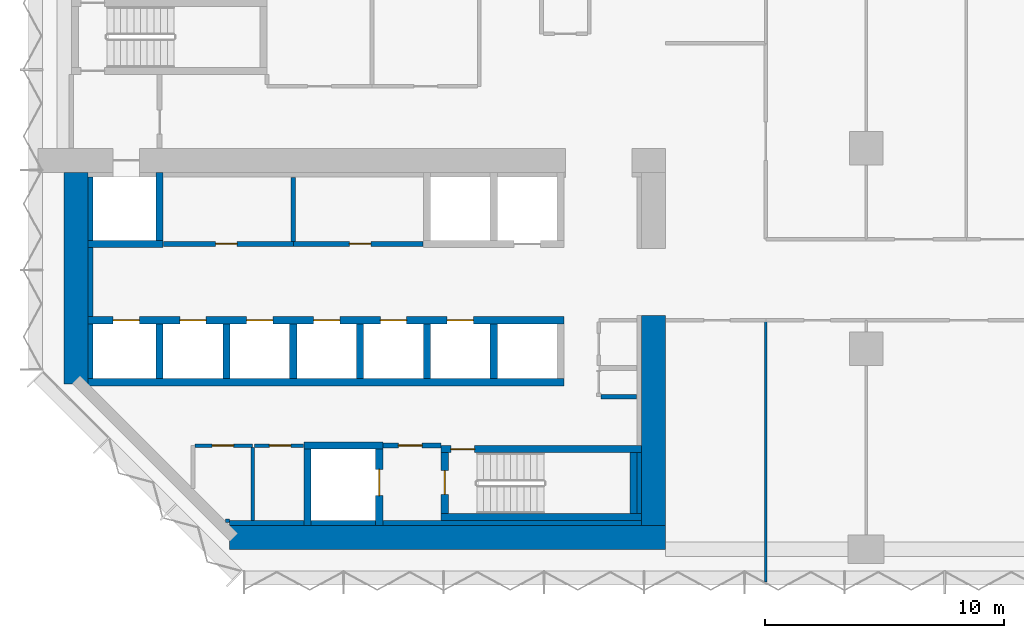
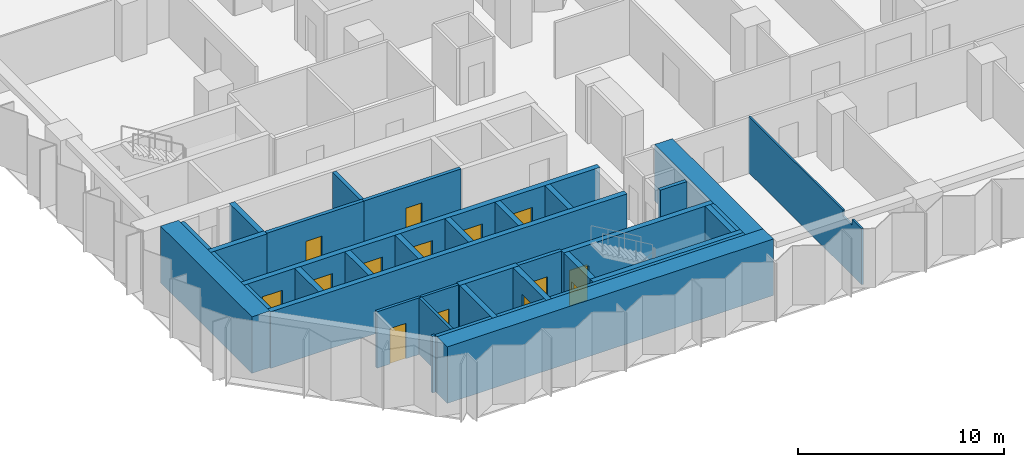
# One storey, part 7 of 15: 37 walls, 14 doors, 14 openings.
"""IFC4 building model written with IfcOpenShell, lengths in metres."""

from ifc_helpers import new_model, si_unit, direction, frame, frame_2d, origin, place, context, subcontext, project, spatial, polyline, rectangle, outline, extrude, material, layer, layer_set, type_object, element, fill, save


model = new_model("IFC4")

# Units and contexts
model_context = context("Model", 3, precision=1e-05, world=origin(), true_north=direction((0.0, 1.0)))
body_context = subcontext(model_context, "Body", "Model", "MODEL_VIEW")
ifc_project = project(units=[si_unit("LENGTHUNIT", "METRE"), si_unit("AREAUNIT", "SQUARE_METRE"), si_unit("VOLUMEUNIT", "CUBIC_METRE"), si_unit("PLANEANGLEUNIT", "RADIAN"), si_unit("MASSUNIT", "GRAM", prefix="KILO")], contexts=[model_context])

# Site, building, storey
site_placement = place(None, origin())
site = spatial("IfcSite", under=ifc_project, at=site_placement, CompositionType="ELEMENT")
building_placement = place(site_placement, origin())
building = spatial("IfcBuilding", under=site, at=building_placement, Name="Brevane Broadcast Tower", CompositionType="ELEMENT")
storey_placement = place(building_placement, frame((0.0, 0.0, 65.300048828125)))
storey = spatial("IfcBuildingStorey", under=building, at=storey_placement, Name="L14", CompositionType="ELEMENT", Elevation=65.300048828125)

# Walls
ifc_material_1 = material(Name="Concrete C32/40", Category="concrete")
ifc_layer_1 = layer(ifc_material_1, 0.199951171875)
ifc_layer_set_1 = layer_set([ifc_layer_1], Name="Core chase wall 200 mm")
wall_type_1 = type_object("IfcWallType", Name="Core chase wall 200 mm", PredefinedType="PARTITIONING", material=ifc_layer_set_1)
wall_1_placement = place(storey_placement, frame((1.10009765625, 7.14990234375, 0.0), z_axis=(0.0, 0.0, 1.0), x_axis=(0.0, 1.0, 0.0)))
element("IfcWall", 1, at=wall_1_placement, inside=storey, type_object=wall_type_1, Name="L14 chase wall LW-2-1", PredefinedType="PARTITIONING", context=body_context, shape_type="SweptSolid", body=[
    extrude(rectangle(XDim=2.300048828125, YDim=0.199951171875, at=frame_2d((1.14990234375, 0.0))), origin(), (0.0, 0.0, 1.0), 3.349853515625),
])
wall_2_placement = place(storey_placement, frame((1.10009765625, 9.75, 0.0), z_axis=(0.0, 0.0, 1.0), x_axis=(0.0, 1.0, 0.0)))
element("IfcWall", 2, at=wall_2_placement, inside=storey, type_object=wall_type_1, Name="L14 chase wall LW-2-2-1", PredefinedType="PARTITIONING", context=body_context, shape_type="SweptSolid", body=[
    extrude(rectangle(XDim=2.89990234375, YDim=0.199951171875, at=frame_2d((1.449951171875, 0.0))), origin(), (0.0, 0.0, 1.0), 3.349853515625),
])
wall_3_placement = place(storey_placement, frame((1.10009765625, 12.949951171875, 0.0), z_axis=(0.0, 0.0, 1.0), x_axis=(0.0, 1.0, 0.0)))
element("IfcWall", 3, at=wall_3_placement, inside=storey, type_object=wall_type_1, Name="L14 chase wall LW-2-2-2", PredefinedType="PARTITIONING", context=body_context, shape_type="SweptSolid", body=[
    extrude(rectangle(XDim=2.650146484375, YDim=0.199951171875, at=frame_2d((1.3251953125, 0.0))), origin(), (0.0, 0.0, 1.0), 3.349853515625),
])
wall_4_placement = place(storey_placement, frame((6.936279296875, 1.10009765625, 0.0), z_axis=(0.0, 0.0, 1.0), x_axis=(1.0, 0.0, 0.0)))
element("IfcWall", 4, at=wall_4_placement, inside=storey, type_object=wall_type_1, Name="L14 chase wall LS-1", PredefinedType="PARTITIONING", context=body_context, shape_type="SweptSolid", body=[
    extrude(rectangle(XDim=3.11376953125, YDim=0.199951171875, at=frame_2d((1.556884765625, 0.0))), origin(), (0.0, 0.0, 1.0), 3.349853515625),
])
wall_5_placement = place(storey_placement, frame((10.35009765625, 1.10009765625, 0.0), z_axis=(0.0, 0.0, 1.0), x_axis=(1.0, 0.0, 0.0)))
element("IfcWall", 5, at=wall_5_placement, inside=storey, type_object=wall_type_1, Name="L14 chase wall LS-2-1", PredefinedType="PARTITIONING", context=body_context, shape_type="SweptSolid", body=[
    extrude(rectangle(XDim=2.699951171875, YDim=0.199951171875, at=frame_2d((1.35009765625, 0.0))), origin(), (0.0, 0.0, 1.0), 3.349853515625),
])
wall_6_placement = place(storey_placement, frame((13.35009765625, 1.10009765625, 0.0), z_axis=(0.0, 0.0, 1.0), x_axis=(1.0, 0.0, 0.0)))
element("IfcWall", 6, at=wall_6_placement, inside=storey, type_object=wall_type_1, Name="L14 chase wall LS-2-2", PredefinedType="PARTITIONING", context=body_context, shape_type="SweptSolid", body=[
    extrude(rectangle(XDim=10.849853515625, YDim=0.199951171875, at=frame_2d((5.4248046875, 0.0))), origin(), (0.0, 0.0, 1.0), 3.349853515625),
])
wall_7_placement = place(storey_placement, frame((24.10009765625, 1.5, 0.0), z_axis=(0.0, 0.0, 1.0), x_axis=(0.0, 1.0, 0.0)))
element("IfcWall", 7, at=wall_7_placement, inside=storey, type_object=wall_type_1, Name="L14 chase wall LE1-2-1", PredefinedType="PARTITIONING", context=body_context, shape_type="SweptSolid", body=[
    extrude(rectangle(XDim=2.550048828125, YDim=0.199951171875, at=frame_2d((1.27490234375, 0.0))), origin(), (0.0, 0.0, 1.0), 3.349853515625),
])

# Wall, opening, door
ifc_material_2 = material(Name="Gypsum board on steel studs", Category="steel")
ifc_layer_2 = layer(ifc_material_2, 0.14990234375)
ifc_layer_set_2 = layer_set([ifc_layer_2], Name="Core fire partition 150 mm")
wall_type_2 = type_object("IfcWallType", Name="Core fire partition 150 mm", PredefinedType="PARTITIONING", material=ifc_layer_set_2)
wall_8_placement = place(storey_placement, frame((5.47509765625, 4.35009765625, 0.0), z_axis=(0.0, 0.0, 1.0), x_axis=(1.0, 0.0, 0.0)))
wall_8 = element("IfcWall", 8, at=wall_8_placement, inside=storey, type_object=wall_type_2, Name="L14 partition wall P11", PredefinedType="PARTITIONING", context=body_context, shape_type="SweptSolid", body=[
    extrude(rectangle(XDim=2.4248046875, YDim=0.14990234375, at=frame_2d((1.21240234375, 0.0))), origin(), (0.0, 0.0, 1.0), 3.349853515625),
])
opening_1_placement = place(wall_8_placement, frame((0.72509765625, 0.0, 0.0)))
opening_1 = element("IfcOpeningElement", 9, at=opening_1_placement, cuts=wall_8, Name="Opening L14-K16", PredefinedType="OPENING", context=body_context, shape_type="SweptSolid", body=[
    extrude(rectangle(XDim=0.89990234375, YDim=2.10009765625, at=frame_2d((0.449951171875, 1.050048828125))), frame((0.0, 0.0849609375, 0.0), z_axis=(0.0, -1.0, 0.0), x_axis=(1.0, 0.0, 0.0)), (0.0, 0.0, 1.0), 0.169921875),
])
ifc_material_3 = material(Name="Timber", Category="wood")
door_type_1 = type_object("IfcDoorType", Name="Toilet door 900 x 2100", OperationType="SINGLE_SWING_LEFT", PredefinedType="DOOR", material=ifc_material_3)
door_1_placement = place(opening_1_placement, origin())
door_1 = element("IfcDoor", 10, at=door_1_placement, inside=storey, type_object=door_type_1, Name="Door L14-K16", OperationType="SINGLE_SWING_LEFT", OverallHeight=2.10009765625, OverallWidth=0.89990234375, PredefinedType="DOOR", context=body_context, shape_type="SweptSolid", body=[
    extrude(rectangle(XDim=0.89990234375, YDim=2.10009765625, at=frame_2d((0.449951171875, 1.050048828125))), frame((0.0, 0.02490234375, 0.0), z_axis=(0.0, -1.0, 0.0), x_axis=(1.0, 0.0, 0.0)), (0.0, 0.0, 1.0), 0.050048828125),
])
fill(opening_1, door_1)

# Walls
wall_9_placement = place(storey_placement, frame((7.89990234375, 4.27490234375, 0.0), z_axis=(0.0, 0.0, 1.0), x_axis=(0.0, -1.0, 0.0)))
element("IfcWall", 11, at=wall_9_placement, inside=storey, type_object=wall_type_2, Name="L14 partition wall P12", PredefinedType="PARTITIONING", context=body_context, shape_type="SweptSolid", body=[
    extrude(rectangle(XDim=3.06298828125, YDim=0.14990234375, at=frame_2d((1.531494140625, 0.0))), origin(), (0.0, 0.0, 1.0), 3.349853515625),
])
wall_10_placement = place(storey_placement, frame((6.92431640625, 1.199951171875, 0.0), z_axis=(0.0, 0.0, 1.0), x_axis=(-1.0, 0.0, 0.0)))
element("IfcWall", 12, at=wall_10_placement, inside=storey, type_object=wall_type_2, Name="L14 partition wall P13", PredefinedType="PARTITIONING", context=body_context, shape_type="SweptSolid", body=[
    extrude(rectangle(XDim=0.1708984375, YDim=0.14990234375, at=frame_2d((0.08544921875, 0.0))), origin(), (0.0, 0.0, 1.0), 3.349853515625),
])

# Wall, opening, door
wall_11_placement = place(storey_placement, frame((10.0380859375, 4.35009765625, 0.0), z_axis=(0.0, 0.0, 1.0), x_axis=(-1.0, 0.0, 0.0)))
wall_11 = element("IfcWall", 13, at=wall_11_placement, inside=storey, type_object=wall_type_2, Name="L14 partition wall P14", PredefinedType="PARTITIONING", context=body_context, shape_type="SweptSolid", body=[
    extrude(rectangle(XDim=2.06298828125, YDim=0.14990234375, at=frame_2d((1.031494140625, 0.0))), origin(), (0.0, 0.0, 1.0), 3.349853515625),
])
opening_2_placement = place(wall_11_placement, frame((0.5380859375, 0.0, 0.0)))
opening_2 = element("IfcOpeningElement", 14, at=opening_2_placement, cuts=wall_11, Name="Opening L14-K17", PredefinedType="OPENING", context=body_context, shape_type="SweptSolid", body=[
    extrude(rectangle(XDim=0.89990234375, YDim=2.10009765625, at=frame_2d((0.449951171875, 1.050048828125))), frame((0.0, 0.0849609375, 0.0), z_axis=(0.0, -1.0, 0.0), x_axis=(1.0, 0.0, 0.0)), (0.0, 0.0, 1.0), 0.169921875),
])
door_2_placement = place(opening_2_placement, origin())
door_2 = element("IfcDoor", 15, at=door_2_placement, inside=storey, type_object=door_type_1, Name="Door L14-K17", OperationType="SINGLE_SWING_RIGHT", OverallHeight=2.10009765625, OverallWidth=0.89990234375, PredefinedType="DOOR", context=body_context, shape_type="SweptSolid", body=[
    extrude(rectangle(XDim=0.89990234375, YDim=2.10009765625, at=frame_2d((0.449951171875, 1.050048828125))), frame((0.0, 0.02490234375, 0.0), z_axis=(0.0, -1.0, 0.0), x_axis=(1.0, 0.0, 0.0)), (0.0, 0.0, 1.0), 0.050048828125),
])
fill(opening_2, door_2)

ifc_layer_3 = layer(ifc_material_2, 0.199951171875)
ifc_layer_set_3 = layer_set([ifc_layer_3], Name="Core fire partition 200 mm")
wall_type_3 = type_object("IfcWallType", Name="Core fire partition 200 mm", PredefinedType="PARTITIONING", material=ifc_layer_set_3)
wall_12_placement = place(storey_placement, frame((13.362060546875, 4.35009765625, 0.0), z_axis=(0.0, 0.0, 1.0), x_axis=(1.0, 0.0, 0.0)))
wall_12 = element("IfcWall", 16, at=wall_12_placement, inside=storey, type_object=wall_type_3, Name="L14 partition wall P03", PredefinedType="PARTITIONING", context=body_context, shape_type="SweptSolid", body=[
    extrude(rectangle(XDim=2.426025390625, YDim=0.199951171875, at=frame_2d((1.212890625, 0.0))), origin(), (0.0, 0.0, 1.0), 3.349853515625),
])
opening_3_placement = place(wall_12_placement, frame((0.637939453125, 0.0, 0.0)))
opening_3 = element("IfcOpeningElement", 17, at=opening_3_placement, cuts=wall_12, Name="Opening L14-K18", PredefinedType="OPENING", context=body_context, shape_type="SweptSolid", body=[
    extrude(rectangle(XDim=1.0, YDim=2.10009765625, at=frame_2d((0.5, 1.050048828125))), frame((0.0, 0.10986328125, 0.0), z_axis=(0.0, -1.0, 0.0), x_axis=(1.0, 0.0, 0.0)), (0.0, 0.0, 1.0), 0.219970703125),
])
ifc_material_4 = material(Name="Steel", Category="steel")
door_type_2 = type_object("IfcDoorType", Name="Stair door 1000 x 2100", OperationType="SINGLE_SWING_LEFT", PredefinedType="DOOR", material=ifc_material_4)
door_3_placement = place(opening_3_placement, origin())
door_3 = element("IfcDoor", 18, at=door_3_placement, inside=storey, type_object=door_type_2, Name="Door L14-K18", OperationType="SINGLE_SWING_LEFT", OverallHeight=2.10009765625, OverallWidth=1.0, PredefinedType="DOOR", context=body_context, shape_type="SweptSolid", body=[
    extrude(rectangle(XDim=1.0, YDim=2.10009765625, at=frame_2d((0.5, 1.050048828125))), frame((0.0, 0.02490234375, 0.0), z_axis=(0.0, -1.0, 0.0), x_axis=(1.0, 0.0, 0.0)), (0.0, 0.0, 1.0), 0.050048828125),
])
fill(opening_3, door_3)

wall_13_placement = place(storey_placement, frame((4.162109375, 12.800048828125, 0.0), z_axis=(0.0, 0.0, 1.0), x_axis=(1.0, 0.0, 0.0)))
wall_13 = element("IfcWall", 19, at=wall_13_placement, inside=storey, type_object=wall_type_3, Name="L14 partition wall P04", PredefinedType="PARTITIONING", context=body_context, shape_type="SweptSolid", body=[
    extrude(rectangle(XDim=5.43798828125, YDim=0.199951171875, at=frame_2d((2.718994140625, 0.0))), origin(), (0.0, 0.0, 1.0), 3.349853515625),
])
opening_4_placement = place(wall_13_placement, frame((2.18798828125, 0.0, 0.0)))
opening_4 = element("IfcOpeningElement", 20, at=opening_4_placement, cuts=wall_13, Name="Opening L14-K21", PredefinedType="OPENING", context=body_context, shape_type="SweptSolid", body=[
    extrude(rectangle(XDim=0.89990234375, YDim=2.10009765625, at=frame_2d((0.449951171875, 1.050048828125))), frame((0.0, 0.10986328125, 0.0), z_axis=(0.0, -1.0, 0.0), x_axis=(1.0, 0.0, 0.0)), (0.0, 0.0, 1.0), 0.219970703125),
])
door_type_3 = type_object("IfcDoorType", Name="Service room door 900 x 2100", OperationType="SINGLE_SWING_LEFT", PredefinedType="DOOR", material=ifc_material_4)
door_4_placement = place(opening_4_placement, origin())
door_4 = element("IfcDoor", 21, at=door_4_placement, inside=storey, type_object=door_type_3, Name="Door L14-K21", OperationType="SINGLE_SWING_RIGHT", OverallHeight=2.10009765625, OverallWidth=0.89990234375, PredefinedType="DOOR", context=body_context, shape_type="SweptSolid", body=[
    extrude(rectangle(XDim=0.89990234375, YDim=2.10009765625, at=frame_2d((0.449951171875, 1.050048828125))), frame((0.0, 0.02490234375, 0.0), z_axis=(0.0, -1.0, 0.0), x_axis=(1.0, 0.0, 0.0)), (0.0, 0.0, 1.0), 0.050048828125),
])
fill(opening_4, door_4)

wall_14_placement = place(storey_placement, frame((9.60009765625, 12.800048828125, 0.0), z_axis=(0.0, 0.0, 1.0), x_axis=(1.0, 0.0, 0.0)))
wall_14 = element("IfcWall", 22, at=wall_14_placement, inside=storey, type_object=wall_type_3, Name="L14 partition wall P05", PredefinedType="PARTITIONING", context=body_context, shape_type="SweptSolid", body=[
    extrude(rectangle(XDim=5.43798828125, YDim=0.199951171875, at=frame_2d((2.718994140625, 0.0))), origin(), (0.0, 0.0, 1.0), 3.349853515625),
])
opening_5_placement = place(wall_14_placement, frame((2.35009765625, 0.0, 0.0)))
opening_5 = element("IfcOpeningElement", 23, at=opening_5_placement, cuts=wall_14, Name="Opening L14-K22", PredefinedType="OPENING", context=body_context, shape_type="SweptSolid", body=[
    extrude(rectangle(XDim=0.89990234375, YDim=2.10009765625, at=frame_2d((0.449951171875, 1.050048828125))), frame((0.0, 0.10986328125, 0.0), z_axis=(0.0, -1.0, 0.0), x_axis=(1.0, 0.0, 0.0)), (0.0, 0.0, 1.0), 0.219970703125),
])
door_5_placement = place(opening_5_placement, origin())
door_5 = element("IfcDoor", 24, at=door_5_placement, inside=storey, type_object=door_type_3, Name="Door L14-K22", OperationType="SINGLE_SWING_LEFT", OverallHeight=2.10009765625, OverallWidth=0.89990234375, PredefinedType="DOOR", context=body_context, shape_type="SweptSolid", body=[
    extrude(rectangle(XDim=0.89990234375, YDim=2.10009765625, at=frame_2d((0.449951171875, 1.050048828125))), frame((0.0, 0.02490234375, 0.0), z_axis=(0.0, -1.0, 0.0), x_axis=(1.0, 0.0, 0.0)), (0.0, 0.0, 1.0), 0.050048828125),
])
fill(opening_5, door_5)

# Walls
wall_15_placement = place(storey_placement, frame((9.60009765625, 15.587890625, 0.0), z_axis=(0.0, 0.0, 1.0), x_axis=(0.0, -1.0, 0.0)))
element("IfcWall", 25, at=wall_15_placement, inside=storey, type_object=wall_type_3, Name="L14 partition wall P06", PredefinedType="PARTITIONING", context=body_context, shape_type="SweptSolid", body=[
    extrude(rectangle(XDim=2.68798828125, YDim=0.199951171875, at=frame_2d((1.343994140625, 0.0))), origin(), (0.0, 0.0, 1.0), 3.349853515625),
])
wall_16_placement = place(storey_placement, frame((22.5, 6.39990234375, 0.0), z_axis=(0.0, 0.0, 1.0), x_axis=(1.0, 0.0, 0.0)))
element("IfcWall", 26, at=wall_16_placement, inside=storey, type_object=wall_type_3, Name="L14 partition wall P09", PredefinedType="PARTITIONING", context=body_context, shape_type="SweptSolid", body=[
    extrude(rectangle(XDim=1.488037109375, YDim=0.199951171875, at=frame_2d((0.744140625, 0.0))), origin(), (0.0, 0.0, 1.0), 3.349853515625),
])
ifc_material_5 = material(Name="Concrete C80/95", Category="concrete")
ifc_layer_4 = layer(ifc_material_5, 1.0)
ifc_layer_set_4 = layer_set([ifc_layer_4], Name="Core wall 1000 mm C80/95")
wall_type_4 = type_object("IfcWallType", Name="Core wall 1000 mm C80/95", PredefinedType="SHEAR", material=ifc_layer_set_4)
wall_17_placement = place(storey_placement, frame((6.936279296875, 0.5, 0.0), z_axis=(0.0, 0.0, 1.0), x_axis=(1.0, 0.0, 0.0)))
element("IfcWall", 27, at=wall_17_placement, inside=storey, type_object=wall_type_4, Name="L14 outer wall WS", PredefinedType="SHEAR", context=body_context, shape_type="SweptSolid", body=[
    extrude(rectangle(XDim=18.263671875, YDim=1.0, at=frame_2d((9.1318359375, 0.0))), origin(), (0.0, 0.0, 1.0), 3.349853515625),
])
wall_18_placement = place(storey_placement, frame((0.5, 6.936279296875, 0.0), z_axis=(0.0, 0.0, 1.0), x_axis=(0.0, 1.0, 0.0)))
element("IfcWall", 28, at=wall_18_placement, inside=storey, type_object=wall_type_4, Name="L14 outer wall WW", PredefinedType="SHEAR", context=body_context, shape_type="SweptSolid", body=[
    extrude(rectangle(XDim=8.86376953125, YDim=1.0, at=frame_2d((4.431884765625, 0.0))), origin(), (0.0, 0.0, 1.0), 3.349853515625),
])
wall_19_placement = place(storey_placement, frame((24.699951171875, 1.0, 0.0), z_axis=(0.0, 0.0, 1.0), x_axis=(0.0, 1.0, 0.0)))
element("IfcWall", 29, at=wall_19_placement, inside=storey, type_object=wall_type_4, Name="L14 outer wall WE1", PredefinedType="SHEAR", context=body_context, shape_type="SweptSolid", body=[
    extrude(rectangle(XDim=8.800048828125, YDim=1.0, at=frame_2d((4.39990234375, 0.0))), origin(), (0.0, 0.0, 1.0), 3.349853515625),
])
ifc_layer_5 = layer(ifc_material_5, 0.300048828125)
ifc_layer_set_5 = layer_set([ifc_layer_5], Name="Core wall 300 mm C80/95")
wall_type_5 = type_object("IfcWallType", Name="Core wall 300 mm C80/95", PredefinedType="SHEAR", material=ifc_layer_set_5)
wall_20_placement = place(storey_placement, frame((1.0, 7.0, 0.0), z_axis=(0.0, 0.0, 1.0), x_axis=(1.0, 0.0, 0.0)))
element("IfcWall", 30, at=wall_20_placement, inside=storey, type_object=wall_type_5, Name="L14 shaft wall SH-S012-back", PredefinedType="SHEAR", context=body_context, shape_type="SweptSolid", body=[
    extrude(rectangle(XDim=19.949951171875, YDim=0.300048828125, at=frame_2d((9.97509765625, 0.0))), origin(), (0.0, 0.0, 1.0), 3.349853515625),
])

# Wall, openings, doors
wall_21_placement = place(storey_placement, frame((1.0, 9.60009765625, 0.0), z_axis=(0.0, 0.0, 1.0), x_axis=(1.0, 0.0, 0.0)))
wall_21 = element("IfcWall", 31, at=wall_21_placement, inside=storey, type_object=wall_type_5, Name="L14 shaft wall SH-S012-front", PredefinedType="SHEAR", context=body_context, shape_type="SweptSolid", body=[
    extrude(rectangle(XDim=19.949951171875, YDim=0.300048828125, at=frame_2d((9.97509765625, 0.0))), origin(), (0.0, 0.0, 1.0), 3.349853515625),
])
opening_6_placement = place(wall_21_placement, frame((1.050048828125, 0.0, 0.0)))
opening_6 = element("IfcOpeningElement", 32, at=opening_6_placement, cuts=wall_21, Name="Opening LD", PredefinedType="OPENING", context=body_context, shape_type="SweptSolid", body=[
    extrude(rectangle(XDim=1.10009765625, YDim=2.300048828125, at=frame_2d((0.550048828125, 1.14990234375))), frame((0.0, 0.159912109375, 0.0), z_axis=(0.0, -1.0, 0.0), x_axis=(1.0, 0.0, 0.0)), (0.0, 0.0, 1.0), 0.320068359375),
])
opening_7_placement = place(wall_21_placement, frame((3.85009765625, 0.0, 0.0)))
opening_7 = element("IfcOpeningElement", 33, at=opening_7_placement, cuts=wall_21, Name="Opening LD", PredefinedType="OPENING", context=body_context, shape_type="SweptSolid", body=[
    extrude(rectangle(XDim=1.10009765625, YDim=2.300048828125, at=frame_2d((0.550048828125, 1.14990234375))), frame((0.0, 0.159912109375, 0.0), z_axis=(0.0, -1.0, 0.0), x_axis=(1.0, 0.0, 0.0)), (0.0, 0.0, 1.0), 0.320068359375),
])
opening_8_placement = place(wall_21_placement, frame((6.64990234375, 0.0, 0.0)))
opening_8 = element("IfcOpeningElement", 34, at=opening_8_placement, cuts=wall_21, Name="Opening LD", PredefinedType="OPENING", context=body_context, shape_type="SweptSolid", body=[
    extrude(rectangle(XDim=1.10009765625, YDim=2.300048828125, at=frame_2d((0.550048828125, 1.14990234375))), frame((0.0, 0.159912109375, 0.0), z_axis=(0.0, -1.0, 0.0), x_axis=(1.0, 0.0, 0.0)), (0.0, 0.0, 1.0), 0.320068359375),
])
opening_9_placement = place(wall_21_placement, frame((9.449951171875, 0.0, 0.0)))
opening_9 = element("IfcOpeningElement", 35, at=opening_9_placement, cuts=wall_21, Name="Opening LD", PredefinedType="OPENING", context=body_context, shape_type="SweptSolid", body=[
    extrude(rectangle(XDim=1.10009765625, YDim=2.300048828125, at=frame_2d((0.550048828125, 1.14990234375))), frame((0.0, 0.159912109375, 0.0), z_axis=(0.0, -1.0, 0.0), x_axis=(1.0, 0.0, 0.0)), (0.0, 0.0, 1.0), 0.320068359375),
])
opening_10_placement = place(wall_21_placement, frame((12.25, 0.0, 0.0)))
opening_10 = element("IfcOpeningElement", 36, at=opening_10_placement, cuts=wall_21, Name="Opening LD", PredefinedType="OPENING", context=body_context, shape_type="SweptSolid", body=[
    extrude(rectangle(XDim=1.10009765625, YDim=2.300048828125, at=frame_2d((0.550048828125, 1.14990234375))), frame((0.0, 0.159912109375, 0.0), z_axis=(0.0, -1.0, 0.0), x_axis=(1.0, 0.0, 0.0)), (0.0, 0.0, 1.0), 0.320068359375),
])
opening_11_placement = place(wall_21_placement, frame((15.050048828125, 0.0, 0.0)))
opening_11 = element("IfcOpeningElement", 37, at=opening_11_placement, cuts=wall_21, Name="Opening LD", PredefinedType="OPENING", context=body_context, shape_type="SweptSolid", body=[
    extrude(rectangle(XDim=1.10009765625, YDim=2.300048828125, at=frame_2d((0.550048828125, 1.14990234375))), frame((0.0, 0.159912109375, 0.0), z_axis=(0.0, -1.0, 0.0), x_axis=(1.0, 0.0, 0.0)), (0.0, 0.0, 1.0), 0.320068359375),
])
ifc_material_6 = material(Name="Stainless steel", Category="steel")
door_type_4 = type_object("IfcDoorType", Name="Lift landing door", OperationType="SLIDING_TO_LEFT", PredefinedType="DOOR", material=ifc_material_6)
door_6_placement = place(opening_6_placement, origin())
door_6 = element("IfcDoor", 38, at=door_6_placement, inside=storey, type_object=door_type_4, Name="Landing door LR1 L14", OperationType="SLIDING_TO_LEFT", OverallHeight=2.300048828125, OverallWidth=1.10009765625, PredefinedType="DOOR", context=body_context, shape_type="SweptSolid", body=[
    extrude(rectangle(XDim=1.10009765625, YDim=2.300048828125, at=frame_2d((0.550048828125, 1.14990234375))), frame((0.0, 0.02490234375, 0.0), z_axis=(0.0, -1.0, 0.0), x_axis=(1.0, 0.0, 0.0)), (0.0, 0.0, 1.0), 0.050048828125),
])
fill(opening_6, door_6)
door_7_placement = place(opening_7_placement, origin())
door_7 = element("IfcDoor", 39, at=door_7_placement, inside=storey, type_object=door_type_4, Name="Landing door LR2 L14", OperationType="SLIDING_TO_LEFT", OverallHeight=2.300048828125, OverallWidth=1.10009765625, PredefinedType="DOOR", context=body_context, shape_type="SweptSolid", body=[
    extrude(rectangle(XDim=1.10009765625, YDim=2.300048828125, at=frame_2d((0.550048828125, 1.14990234375))), frame((0.0, 0.02490234375, 0.0), z_axis=(0.0, -1.0, 0.0), x_axis=(1.0, 0.0, 0.0)), (0.0, 0.0, 1.0), 0.050048828125),
])
fill(opening_7, door_7)
door_8_placement = place(opening_8_placement, origin())
door_8 = element("IfcDoor", 40, at=door_8_placement, inside=storey, type_object=door_type_4, Name="Landing door LR3 L14", OperationType="SLIDING_TO_LEFT", OverallHeight=2.300048828125, OverallWidth=1.10009765625, PredefinedType="DOOR", context=body_context, shape_type="SweptSolid", body=[
    extrude(rectangle(XDim=1.10009765625, YDim=2.300048828125, at=frame_2d((0.550048828125, 1.14990234375))), frame((0.0, 0.02490234375, 0.0), z_axis=(0.0, -1.0, 0.0), x_axis=(1.0, 0.0, 0.0)), (0.0, 0.0, 1.0), 0.050048828125),
])
fill(opening_8, door_8)
door_9_placement = place(opening_9_placement, origin())
door_9 = element("IfcDoor", 41, at=door_9_placement, inside=storey, type_object=door_type_4, Name="Landing door LR4 L14", OperationType="SLIDING_TO_LEFT", OverallHeight=2.300048828125, OverallWidth=1.10009765625, PredefinedType="DOOR", context=body_context, shape_type="SweptSolid", body=[
    extrude(rectangle(XDim=1.10009765625, YDim=2.300048828125, at=frame_2d((0.550048828125, 1.14990234375))), frame((0.0, 0.02490234375, 0.0), z_axis=(0.0, -1.0, 0.0), x_axis=(1.0, 0.0, 0.0)), (0.0, 0.0, 1.0), 0.050048828125),
])
fill(opening_9, door_9)
door_10_placement = place(opening_10_placement, origin())
door_10 = element("IfcDoor", 42, at=door_10_placement, inside=storey, type_object=door_type_4, Name="Landing door LR5 L14", OperationType="SLIDING_TO_LEFT", OverallHeight=2.300048828125, OverallWidth=1.10009765625, PredefinedType="DOOR", context=body_context, shape_type="SweptSolid", body=[
    extrude(rectangle(XDim=1.10009765625, YDim=2.300048828125, at=frame_2d((0.550048828125, 1.14990234375))), frame((0.0, 0.02490234375, 0.0), z_axis=(0.0, -1.0, 0.0), x_axis=(1.0, 0.0, 0.0)), (0.0, 0.0, 1.0), 0.050048828125),
])
fill(opening_10, door_10)
door_11_placement = place(opening_11_placement, origin())
door_11 = element("IfcDoor", 43, at=door_11_placement, inside=storey, type_object=door_type_4, Name="Landing door LR6 L14", OperationType="SLIDING_TO_LEFT", OverallHeight=2.300048828125, OverallWidth=1.10009765625, PredefinedType="DOOR", context=body_context, shape_type="SweptSolid", body=[
    extrude(rectangle(XDim=1.10009765625, YDim=2.300048828125, at=frame_2d((0.550048828125, 1.14990234375))), frame((0.0, 0.02490234375, 0.0), z_axis=(0.0, -1.0, 0.0), x_axis=(1.0, 0.0, 0.0)), (0.0, 0.0, 1.0), 0.050048828125),
])
fill(opening_11, door_11)

# Walls
for number, where, z_axis, x_axis, name in (
    (44, (4.0, 7.14990234375, 0.0), (0.0, 0.0, 1.0), (0.0, 1.0, 0.0), "L14 shaft wall SH-S-P040"),
    (45, (6.800048828125, 7.14990234375, 0.0), (0.0, 0.0, 1.0), (0.0, 1.0, 0.0), "L14 shaft wall SH-S-P068"),
    (46, (9.60009765625, 7.14990234375, 0.0), (0.0, 0.0, 1.0), (0.0, 1.0, 0.0), "L14 shaft wall SH-S-P096"),
    (47, (12.39990234375, 7.14990234375, 0.0), (0.0, 0.0, 1.0), (0.0, 1.0, 0.0), "L14 shaft wall SH-S-P124"),
    (48, (15.199951171875, 7.14990234375, 0.0), (0.0, 0.0, 1.0), (0.0, 1.0, 0.0), "L14 shaft wall SH-S-P152"),
    (49, (18.0, 7.14990234375, 0.0), (0.0, 0.0, 1.0), (0.0, 1.0, 0.0), "L14 shaft wall SH-S-P180"),
):
    element("IfcWall", number, at=place(storey_placement, frame(where, z_axis=z_axis, x_axis=x_axis)), inside=storey, type_object=wall_type_5, Name=name, PredefinedType="SHEAR", context=body_context, shape_type="SweptSolid", body=[
        extrude(rectangle(XDim=2.300048828125, YDim=0.300048828125, at=frame_2d((1.14990234375, 0.0))), origin(), (0.0, 0.0, 1.0), 3.349853515625),
    ])
wall_22_placement = place(storey_placement, frame((1.0, 12.800048828125, 0.0), z_axis=(0.0, 0.0, 1.0), x_axis=(1.0, 0.0, 0.0)))
element("IfcWall", 50, at=wall_22_placement, inside=storey, type_object=wall_type_5, Name="L14 shaft wall SH-N012-front", PredefinedType="SHEAR", context=body_context, shape_type="SweptSolid", body=[
    extrude(rectangle(XDim=3.14990234375, YDim=0.300048828125, at=frame_2d((1.574951171875, 0.0))), origin(), (0.0, 0.0, 1.0), 3.349853515625),
])
wall_23_placement = place(storey_placement, frame((4.0, 12.949951171875, 0.0), z_axis=(0.0, 0.0, 1.0), x_axis=(0.0, 1.0, 0.0)))
element("IfcWall", 51, at=wall_23_placement, inside=storey, type_object=wall_type_5, Name="L14 shaft wall SH-N-P040", PredefinedType="SHEAR", context=body_context, shape_type="SweptSolid", body=[
    extrude(rectangle(XDim=2.85009765625, YDim=0.300048828125, at=frame_2d((1.425048828125, 0.0))), origin(), (0.0, 0.0, 1.0), 3.349853515625),
])
wall_24_placement = place(storey_placement, frame((10.199951171875, 1.0, 0.0), z_axis=(0.0, 0.0, 1.0), x_axis=(0.0, 1.0, 0.0)))
element("IfcWall", 52, at=wall_24_placement, inside=storey, type_object=wall_type_5, Name="L14 shaft wall FF2-W", PredefinedType="SHEAR", context=body_context, shape_type="SweptSolid", body=[
    extrude(rectangle(XDim=3.199951171875, YDim=0.300048828125, at=frame_2d((1.60009765625, 0.0))), origin(), (0.0, 0.0, 1.0), 3.349853515625),
])

# Wall, opening, door
wall_25_placement = place(storey_placement, frame((13.199951171875, 1.0, 0.0), z_axis=(0.0, 0.0, 1.0), x_axis=(0.0, 1.0, 0.0)))
wall_25 = element("IfcWall", 53, at=wall_25_placement, inside=storey, type_object=wall_type_5, Name="L14 shaft wall FF2-E", PredefinedType="SHEAR", context=body_context, shape_type="SweptSolid", body=[
    extrude(rectangle(XDim=3.199951171875, YDim=0.300048828125, at=frame_2d((1.60009765625, 0.0))), origin(), (0.0, 0.0, 1.0), 3.349853515625),
])
opening_12_placement = place(wall_25_placement, frame((1.25, 0.0, 0.0)))
opening_12 = element("IfcOpeningElement", 54, at=opening_12_placement, cuts=wall_25, Name="Opening LD", PredefinedType="OPENING", context=body_context, shape_type="SweptSolid", body=[
    extrude(rectangle(XDim=1.10009765625, YDim=2.300048828125, at=frame_2d((0.550048828125, 1.14990234375))), frame((0.0, 0.159912109375, 0.0), z_axis=(0.0, -1.0, 0.0), x_axis=(1.0, 0.0, 0.0)), (0.0, 0.0, 1.0), 0.320068359375),
])
door_12_placement = place(opening_12_placement, origin())
door_12 = element("IfcDoor", 55, at=door_12_placement, inside=storey, type_object=door_type_4, Name="Landing door FF2 L14", OperationType="SLIDING_TO_LEFT", OverallHeight=2.300048828125, OverallWidth=1.10009765625, PredefinedType="DOOR", context=body_context, shape_type="SweptSolid", body=[
    extrude(rectangle(XDim=1.10009765625, YDim=2.300048828125, at=frame_2d((0.550048828125, 1.14990234375))), frame((0.0, 0.02490234375, 0.0), z_axis=(0.0, -1.0, 0.0), x_axis=(1.0, 0.0, 0.0)), (0.0, 0.0, 1.0), 0.050048828125),
])
fill(opening_12, door_12)

# Walls
wall_26_placement = place(storey_placement, frame((10.050048828125, 4.35009765625, 0.0), z_axis=(0.0, 0.0, 1.0), x_axis=(1.0, 0.0, 0.0)))
element("IfcWall", 56, at=wall_26_placement, inside=storey, type_object=wall_type_5, Name="L14 shaft wall FF2-N", PredefinedType="SHEAR", context=body_context, shape_type="SweptSolid", body=[
    extrude(rectangle(XDim=3.300048828125, YDim=0.300048828125, at=frame_2d((1.64990234375, 0.0))), origin(), (0.0, 0.0, 1.0), 3.349853515625),
])
wall_27_placement = place(storey_placement, frame((15.800048828125, 1.35009765625, 0.0), z_axis=(0.0, 0.0, 1.0), x_axis=(1.0, 0.0, 0.0)))
element("IfcWall", 57, at=wall_27_placement, inside=storey, type_object=wall_type_5, Name="L14 stair wall ST-2-S", PredefinedType="SHEAR", context=body_context, shape_type="SweptSolid", body=[
    extrude(rectangle(XDim=8.39990234375, YDim=0.300048828125, at=frame_2d((4.199951171875, 0.0))), origin(), (0.0, 0.0, 1.0), 3.349853515625),
])

# Wall, opening, door
wall_28_placement = place(storey_placement, frame((15.800048828125, 4.199951171875, 0.0), z_axis=(0.0, 0.0, 1.0), x_axis=(1.0, 0.0, 0.0)))
wall_28 = element("IfcWall", 58, at=wall_28_placement, inside=storey, type_object=wall_type_5, Name="L14 stair wall ST-2-N", PredefinedType="SHEAR", context=body_context, shape_type="SweptSolid", body=[
    extrude(rectangle(XDim=8.39990234375, YDim=0.300048828125, at=frame_2d((4.199951171875, 0.0))), origin(), (0.0, 0.0, 1.0), 3.349853515625),
])
opening_13_placement = place(wall_28_placement, frame((0.39990234375, 0.0, 0.0)))
opening_13 = element("IfcOpeningElement", 59, at=opening_13_placement, cuts=wall_28, Name="Opening L14-K13", PredefinedType="OPENING", context=body_context, shape_type="SweptSolid", body=[
    extrude(rectangle(XDim=1.0, YDim=2.10009765625, at=frame_2d((0.5, 1.050048828125))), frame((0.0, 0.159912109375, 0.0), z_axis=(0.0, -1.0, 0.0), x_axis=(1.0, 0.0, 0.0)), (0.0, 0.0, 1.0), 0.320068359375),
])
door_13_placement = place(opening_13_placement, origin())
door_13 = element("IfcDoor", 60, at=door_13_placement, inside=storey, type_object=door_type_2, Name="Door L14-K13", OperationType="SINGLE_SWING_RIGHT", OverallHeight=2.10009765625, OverallWidth=1.0, PredefinedType="DOOR", context=body_context, shape_type="SweptSolid", body=[
    extrude(rectangle(XDim=1.0, YDim=2.10009765625, at=frame_2d((0.5, 1.050048828125))), frame((0.0, 0.02490234375, 0.0), z_axis=(0.0, -1.0, 0.0), x_axis=(1.0, 0.0, 0.0)), (0.0, 0.0, 1.0), 0.050048828125),
])
fill(opening_13, door_13)

wall_29_placement = place(storey_placement, frame((15.949951171875, 1.5, 0.0), z_axis=(0.0, 0.0, 1.0), x_axis=(0.0, 1.0, 0.0)))
wall_29 = element("IfcWall", 61, at=wall_29_placement, inside=storey, type_object=wall_type_5, Name="L14 stair wall ST-2-W", PredefinedType="SHEAR", context=body_context, shape_type="SweptSolid", body=[
    extrude(rectangle(XDim=2.550048828125, YDim=0.300048828125, at=frame_2d((1.27490234375, 0.0))), origin(), (0.0, 0.0, 1.0), 3.349853515625),
])
opening_14_placement = place(wall_29_placement, frame((0.800048828125, 0.0, 0.0)))
opening_14 = element("IfcOpeningElement", 62, at=opening_14_placement, cuts=wall_29, Name="Opening L14-K12", PredefinedType="OPENING", context=body_context, shape_type="SweptSolid", body=[
    extrude(rectangle(XDim=1.0, YDim=2.10009765625, at=frame_2d((0.5, 1.050048828125))), frame((0.0, 0.159912109375, 0.0), z_axis=(0.0, -1.0, 0.0), x_axis=(1.0, 0.0, 0.0)), (0.0, 0.0, 1.0), 0.320068359375),
])
door_14_placement = place(opening_14_placement, origin())
door_14 = element("IfcDoor", 63, at=door_14_placement, inside=storey, type_object=door_type_2, Name="Door L14-K12", OperationType="SINGLE_SWING_LEFT", OverallHeight=2.10009765625, OverallWidth=1.0, PredefinedType="DOOR", context=body_context, shape_type="SweptSolid", body=[
    extrude(rectangle(XDim=1.0, YDim=2.10009765625, at=frame_2d((0.5, 1.050048828125))), frame((0.0, 0.02490234375, 0.0), z_axis=(0.0, -1.0, 0.0), x_axis=(1.0, 0.0, 0.0)), (0.0, 0.0, 1.0), 0.050048828125),
])
fill(opening_14, door_14)

# Walls
wall_30_placement = place(storey_placement, frame((23.85009765625, 1.5, 0.0), z_axis=(0.0, 0.0, 1.0), x_axis=(0.0, 1.0, 0.0)))
element("IfcWall", 64, at=wall_30_placement, inside=storey, type_object=wall_type_5, Name="L14 stair wall ST-2-E", PredefinedType="SHEAR", context=body_context, shape_type="SweptSolid", body=[
    extrude(rectangle(XDim=2.550048828125, YDim=0.300048828125, at=frame_2d((1.27490234375, 0.0))), origin(), (0.0, 0.0, 1.0), 3.349853515625),
])
ifc_material_7 = material(Name="Gypsum board partition")
ifc_layer_6 = layer(ifc_material_7, 0.10009765625)
ifc_layer_set_6 = layer_set([ifc_layer_6], Name="PARTITION 100 STUD")
wall_type_6 = type_object("IfcWallType", Name="PARTITION 100 STUD", PredefinedType="PARTITIONING", material=ifc_layer_set_6)
wall_31_placement = place(storey_placement, frame((29.39990234375, 9.60009765625, 0.0), z_axis=(0.0, 0.0, 1.0), x_axis=(0.0, -1.0, 0.0)))
element("IfcWall", 65, at=wall_31_placement, inside=storey, type_object=wall_type_6, Name="Partition G03-020", PredefinedType="PARTITIONING", context=body_context, shape_type="SweptSolid", body=[
    extrude(outline(polyline([(0.0, 0.0), (10.965087890625, 0.0), (10.965087890625, 3.329833984375), (10.699951171875, 3.329833984375), (10.050048828125, 3.329833984375), (10.048095703125, 2.97998046875), (9.152099609375, 2.97998046875), (9.14990234375, 3.329833984375), (0.0, 3.329833984375), (0.0, 0.0)])), frame((0.0, 0.050048828125, 0.0), z_axis=(0.0, -1.0, 0.0), x_axis=(1.0, 0.0, 0.0)), (0.0, 0.0, 1.0), 0.10009765625),
])

save(model, "model.ifc")
